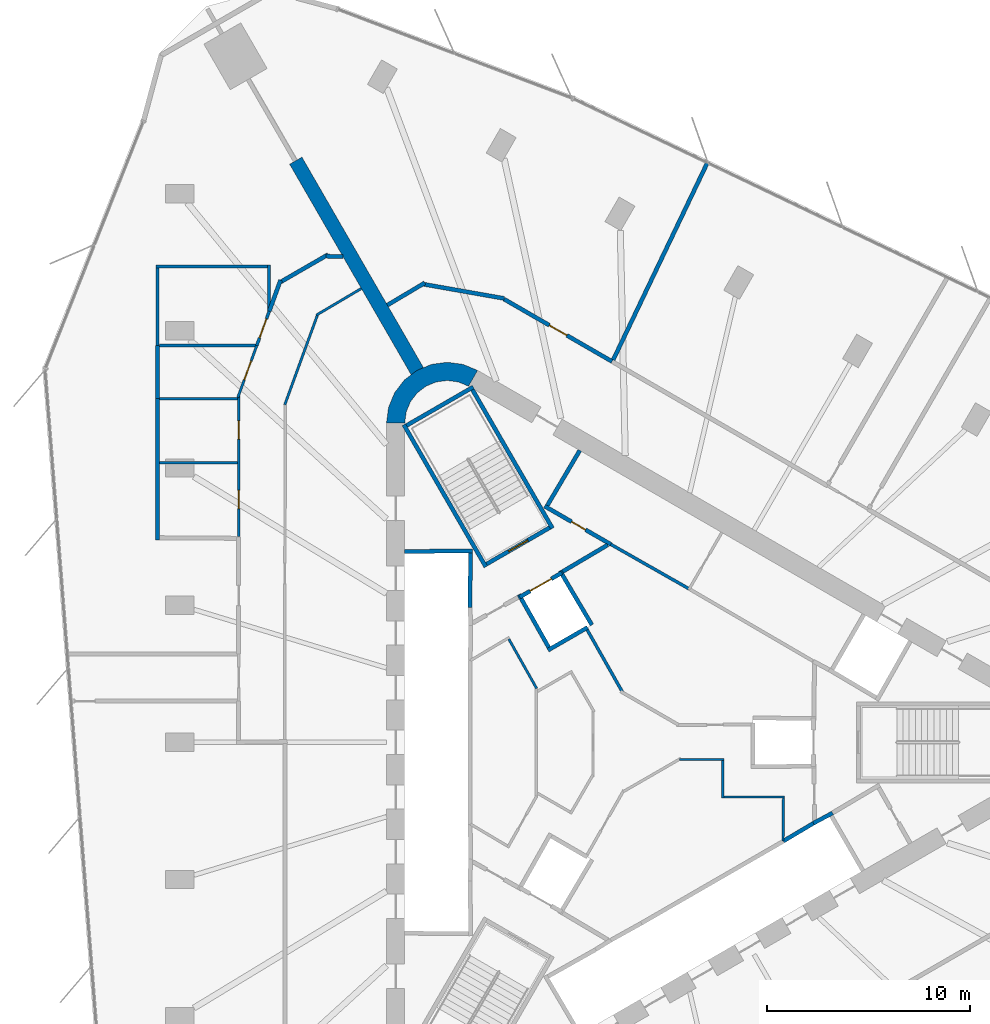
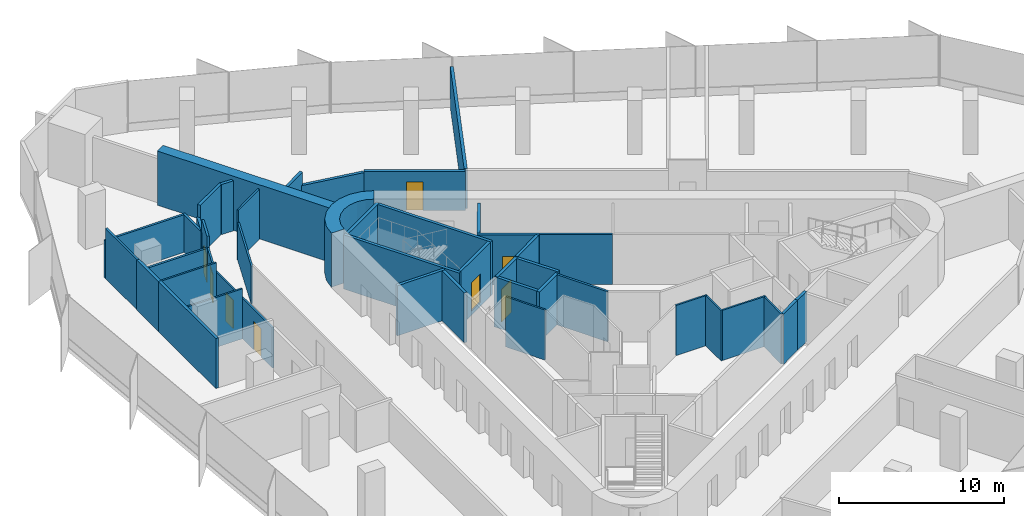
# One storey, part 10 of 13: 44 walls, 8 doors, 8 openings.
"""IFC4 building model written with IfcOpenShell, lengths in metres."""

import ifcopenshell
import ifcopenshell.guid

model = None  # the IFC model being written
_history = None  # IfcOwnerHistory: only IFC2X3 demands one
_inside = {}  # id of a spatial element -> (the spatial element, [elements in it])
_under = {}  # id of a project, library or spatial element -> (it, [spatial elements below it])
_declared = {}  # id of a project -> (the project, [libraries it declares])
_typed = {}  # id of a type object -> (the type object, [elements of that type])
_made_of = {}  # id of a material, layer set ... -> (it, [elements and type objects made of it])


def new_model(schema):
    """Start an empty IFC model of exactly this schema.

    Asked for "IFC4X3", IfcOpenShell would pick the latest addendum, in which some entities
    have other attributes; the version numbers below select the first issue.
    IFC2X3 requires an IfcOwnerHistory on every rooted entity: one is made here for all.
    """
    global model, _history
    if schema == "IFC4X3":
        model = ifcopenshell.file(schema_version=(4, 3, 0, 0))
    else:
        model = ifcopenshell.file(schema=schema)
    _inside.clear()
    _under.clear()
    _declared.clear()
    _typed.clear()
    _made_of.clear()
    _history = None
    if model.schema == "IFC2X3":
        org = make("IfcOrganization", Name="unknown")
        user = make(
            "IfcPersonAndOrganization",
            ThePerson=make("IfcPerson", FamilyName="unknown"),
            TheOrganization=org,
        )
        app = make(
            "IfcApplication",
            ApplicationDeveloper=org,
            Version="unknown",
            ApplicationFullName="unknown",
            ApplicationIdentifier="unknown",
        )
        _history = make(
            "IfcOwnerHistory",
            OwningUser=user,
            OwningApplication=app,
            ChangeAction="ADDED",
            CreationDate=0,
        )
    return model


def make(cls, **values):
    """One entity of the class cls with the attributes given. An attribute that is None is left unset."""
    return model.create_entity(
        cls, **{name: value for name, value in values.items() if value is not None}
    )


def rooted(cls, **values):
    """An entity with a GlobalId (a new one), such as an element, a storey or a relation."""
    return make(cls, GlobalId=ifcopenshell.guid.new(), OwnerHistory=_history, **values)


def si_unit(unit_type, name, prefix=None):
    """IfcSIUnit, for example si_unit("LENGTHUNIT", "METRE", prefix="MILLI")."""
    return make("IfcSIUnit", UnitType=unit_type, Prefix=prefix, Name=name)


def assignment(units):
    """IfcUnitAssignment: the units of a project."""
    return None if units is None else make("IfcUnitAssignment", Units=units)


def point(xyz):
    """IfcCartesianPoint."""
    return None if xyz is None else make("IfcCartesianPoint", Coordinates=xyz)


def direction(xyz):
    """IfcDirection."""
    return None if xyz is None else make("IfcDirection", DirectionRatios=xyz)


def frame(location, z_axis=None, x_axis=None):
    """IfcAxis2Placement3D, a coordinate frame: its origin and axes. An axis left out is left unset."""
    return make(
        "IfcAxis2Placement3D",
        Location=point(location),
        Axis=direction(z_axis),
        RefDirection=direction(x_axis),
    )


def frame_2d(location, x_axis=None):
    """IfcAxis2Placement2D, a coordinate frame in the plane: its origin and x axis."""
    return make(
        "IfcAxis2Placement2D", Location=point(location), RefDirection=direction(x_axis)
    )


def origin():
    """The frame at (0, 0, 0) with its axes left unset."""
    return frame((0.0, 0.0, 0.0))


def place(relative_to, where):
    """IfcLocalPlacement: puts the frame where relative to a parent placement (None: the world)."""
    return make(
        "IfcLocalPlacement", PlacementRelTo=relative_to, RelativePlacement=where
    )


def context(
    kind, dimensions, precision=None, world=None, true_north=None, identifier=None
):
    """IfcGeometricRepresentationContext, for example the 3D "Model" context."""
    return make(
        "IfcGeometricRepresentationContext",
        ContextIdentifier=identifier,
        ContextType=kind,
        CoordinateSpaceDimension=dimensions,
        Precision=precision,
        WorldCoordinateSystem=world,
        TrueNorth=true_north,
    )


def subcontext(parent, identifier, kind, view, scale=None):
    """IfcGeometricRepresentationSubContext, for example "Body" below "Model"."""
    return make(
        "IfcGeometricRepresentationSubContext",
        ContextIdentifier=identifier,
        ContextType=kind,
        ParentContext=parent,
        TargetScale=scale,
        TargetView=view,
    )


def project(units=None, contexts=None):
    """IfcProject with its units and contexts."""
    return rooted(
        "IfcProject",
        Name="project",
        RepresentationContexts=contexts,
        UnitsInContext=assignment(units),
    )


def spatial(cls, under=None, at=None, **own):
    """A site, building, storey or space (cls), placed at a placement, below another one or the project."""
    s = rooted(cls, ObjectPlacement=at, **own)
    if under is not None:
        _under.setdefault(under.id(), (under, []))[1].append(s)
    return s


def polyline(points):
    """IfcPolyline through the points."""
    return make("IfcPolyline", Points=[point(p) for p in points])


def profile(cls, at=None, kind="AREA", **sizes):
    """A parametric profile (cls). Its sizes go by their IFC names, for example OverallWidth=200.0."""
    return make(cls, ProfileType=kind, Position=at, **sizes)


def rectangle(**sizes):
    """IfcRectangleProfileDef."""
    return profile("IfcRectangleProfileDef", **sizes)


def outline(outer, holes=None, kind="AREA"):
    """IfcArbitraryClosedProfileDef: a profile drawn as a closed curve; with holes, ...WithVoids."""
    if holes is None:
        return make("IfcArbitraryClosedProfileDef", ProfileType=kind, OuterCurve=outer)
    return make(
        "IfcArbitraryProfileDefWithVoids",
        ProfileType=kind,
        OuterCurve=outer,
        InnerCurves=holes,
    )


def extrude(swept, where, along, depth):
    """IfcExtrudedAreaSolid: the profile swept, set in the frame where, extruded along a direction by depth."""
    return make(
        "IfcExtrudedAreaSolid",
        SweptArea=swept,
        Position=where,
        ExtrudedDirection=direction(along),
        Depth=depth,
    )


def shape(context_of_items, identifier, shape_type, items):
    """IfcShapeRepresentation: the items that make up one representation, for example the "Body"."""
    return make(
        "IfcShapeRepresentation",
        ContextOfItems=context_of_items,
        RepresentationIdentifier=identifier,
        RepresentationType=shape_type,
        Items=items,
    )


def material(Name=None, Category=None):
    """IfcMaterial."""
    return make("IfcMaterial", Name=Name, Category=Category)


def layer(
    of_material, thickness, ventilated=None, Name=None, Category=None, Priority=None
):
    """IfcMaterialLayer: one layer of a wall or slab, of a material (None: an air gap)."""
    return make(
        "IfcMaterialLayer",
        Material=of_material,
        LayerThickness=thickness,
        IsVentilated=ventilated,
        Name=Name,
        Category=Category,
        Priority=Priority,
    )


def layer_set(layers, Name=None):
    """IfcMaterialLayerSet."""
    return make("IfcMaterialLayerSet", MaterialLayers=layers, LayerSetName=Name)


def made_of(thing, what):
    """Note that an element or type object is made of a material, layer set ...; save() writes the relation."""
    if what is not None:
        _made_of.setdefault(what.id(), (what, []))[1].append(thing)
    return thing


def type_object(cls, material=None, **own):
    """A type object (cls), such as IfcWallType, which elements share."""
    return made_of(rooted(cls, **own), material)


def element(
    cls,
    number,
    at=None,
    inside=None,
    cuts=None,
    type_object=None,
    material=None,
    context=None,
    identifier="Body",
    shape_type=None,
    held_by="IfcProductDefinitionShape",
    body=None,
    shapes=None,
    **own,
):
    """One element of the class cls, such as IfcWall. Its Tag is "e" and its number.

    at: its placement. inside: the storey or other place that contains it. cuts: it is an
    opening in that element (IfcRelVoidsElement). A single representation is given by context,
    identifier, shape_type and body (its items); several are given by shapes. held_by: the class
    of the entity that holds the representations. save() writes the other relations.
    """
    e = rooted(cls, Tag="e%d" % number, ObjectPlacement=at, **own)
    if body is not None:
        shapes = [shape(context, identifier, shape_type, body)]
    if shapes is not None:
        e.Representation = make(held_by, Representations=shapes)
    if inside is not None:
        _inside.setdefault(inside.id(), (inside, []))[1].append(e)
    if cuts is not None:
        rooted(
            "IfcRelVoidsElement", RelatingBuildingElement=cuts, RelatedOpeningElement=e
        )
    if type_object is not None:
        _typed.setdefault(type_object.id(), (type_object, []))[1].append(e)
    return made_of(e, material)


def fill(opening, filler):
    """IfcRelFillsElement: the door or window that sits in an opening."""
    return rooted(
        "IfcRelFillsElement",
        RelatingOpeningElement=opening,
        RelatedBuildingElement=filler,
    )


def aggregate(whole, parts):
    """IfcRelAggregates: a whole, such as a stair, and the parts it consists of."""
    return rooted("IfcRelAggregates", RelatingObject=whole, RelatedObjects=parts)


def save(model, path):
    """Write the relations noted so far, then the file.

    IfcRelAggregates (storeys below a building ...), IfcRelContainedInSpatialStructure (elements
    in a storey), IfcRelDefinesByType, IfcRelAssociatesMaterial and IfcRelDeclares: one each for
    every whole, place, type object, material and project.
    """
    for whole, parts in _under.values():
        aggregate(whole, parts)
    for where, things in _inside.values():
        rooted(
            "IfcRelContainedInSpatialStructure",
            RelatedElements=things,
            RelatingStructure=where,
        )
    for kind, things in _typed.values():
        rooted("IfcRelDefinesByType", RelatedObjects=things, RelatingType=kind)
    for what, things in _made_of.values():
        rooted("IfcRelAssociatesMaterial", RelatedObjects=things, RelatingMaterial=what)
    for by, libraries in _declared.values():
        rooted("IfcRelDeclares", RelatingContext=by, RelatedDefinitions=libraries)
    model.write(path)


model = new_model("IFC4")

# Units and contexts
model_context = context("Model", 3, precision=1e-05, world=origin(), true_north=direction((0.0, 1.0)))
body_context = subcontext(model_context, "Body", "Model", "MODEL_VIEW")
ifc_project = project(units=[si_unit("LENGTHUNIT", "METRE"), si_unit("AREAUNIT", "SQUARE_METRE"), si_unit("VOLUMEUNIT", "CUBIC_METRE"), si_unit("PLANEANGLEUNIT", "RADIAN"), si_unit("MASSUNIT", "GRAM", prefix="KILO")], contexts=[model_context])

# Site, building, storey
site_placement = place(None, origin())
site = spatial("IfcSite", under=ifc_project, at=site_placement, CompositionType="ELEMENT")
building_placement = place(site_placement, origin())
building = spatial("IfcBuilding", under=site, at=building_placement, Name="Tanit Gate Tower", CompositionType="ELEMENT")
storey_placement = place(building_placement, frame((0.0, 0.0, 197.199951171875)))
storey = spatial("IfcBuildingStorey", under=building, at=storey_placement, Name="L43", CompositionType="ELEMENT", Elevation=197.199951171875)

# Walls
ifc_material_1 = material(Name="Concrete C50/60", Category="concrete")
ifc_layer_1 = layer(ifc_material_1, 0.699951171875)
ifc_layer_set_1 = layer_set([ifc_layer_1], Name="BUTTRESS FIN 700 C50/60")
wall_type_1 = type_object("IfcWallType", Name="BUTTRESS FIN 700 C50/60", PredefinedType="SHEAR", material=ifc_layer_set_1)
wall_1_placement = place(storey_placement, frame((-10.574951171875, 18.31640625, 0.0), z_axis=(0.0, 0.0, 1.0), x_axis=(-0.500001138955, 0.866024746207, 0.0)))
element("IfcWall", 1, at=wall_1_placement, inside=storey, type_object=wall_type_1, Name="BUTTRESS FIN", PredefinedType="SHEAR", context=body_context, shape_type="SweptSolid", body=[
    extrude(rectangle(XDim=12.0068359375, YDim=0.699951171875, at=frame_2d((6.00341796875, 0.0))), origin(), (0.0, 0.0, 1.0), 4.0),
])
ifc_material_2 = material(Name="Concrete C50/60", Category="concrete")
ifc_layer_2 = layer(ifc_material_2, 0.89990234375)
ifc_layer_set_2 = layer_set([ifc_layer_2], Name="CORE WALL 900 C50/60")
wall_type_2 = type_object("IfcWallType", Name="CORE WALL 900 C50/60", PredefinedType="SHEAR", material=ifc_layer_set_2)
wall_2_placement = place(storey_placement, origin())
element("IfcWall", 2, at=wall_2_placement, inside=storey, type_object=wall_type_2, Name="CORE WALL CORNER", PredefinedType="SHEAR", context=body_context, shape_type="SweptSolid", body=[
    extrude(outline(polyline([(-7.60009765625, 18.359619140625), (-8.323486328125, 18.659423828125), (-9.10009765625, 18.76171875), (-9.87646484375, 18.659423828125), (-10.60009765625, 18.359619140625), (-11.22119140625, 17.883056640625), (-11.697998046875, 17.26171875), (-11.997802734375, 16.5380859375), (-12.10009765625, 15.76171875), (-11.199951171875, 15.76171875), (-11.12841796875, 16.30517578125), (-10.918701171875, 16.811767578125), (-10.5849609375, 17.24658203125), (-10.14990234375, 17.580322265625), (-9.6435546875, 17.7900390625), (-9.10009765625, 17.86181640625), (-8.556396484375, 17.7900390625), (-8.050048828125, 17.580322265625), (-7.60009765625, 18.359619140625)])), origin(), (0.0, 0.0, 1.0), 4.0),
])

# Wall, opening, door
ifc_material_3 = material(Name="Fire-rated gypsum board partition")
ifc_layer_3 = layer(ifc_material_3, 0.199951171875)
ifc_layer_set_3 = layer_set([ifc_layer_3], Name="INT-WALL-COMPARTMENT")
wall_type_3 = type_object("IfcWallType", Name="INT-WALL-COMPARTMENT", PredefinedType="PARTITIONING", material=ifc_layer_set_3)
wall_3_placement = place(storey_placement, frame((-4.295654296875, 11.659912109375, 0.0), z_axis=(0.0, 0.0, 1.0), x_axis=(0.866027389382, -0.499996560828, 0.0)))
wall_3 = element("IfcWall", 3, at=wall_3_placement, inside=storey, type_object=wall_type_3, Name="Wall Compartment W052", PredefinedType="PARTITIONING", context=body_context, shape_type="SweptSolid", body=[
    extrude(rectangle(XDim=3.77783203125, YDim=0.199951171875, at=frame_2d((1.888916015625, 0.0))), origin(), (0.0, 0.0, 1.0), 3.699951171875),
])
opening_1_placement = place(wall_3_placement, frame((1.538818359375, 0.0, 0.0)))
opening_1 = element("IfcOpeningElement", 4, at=opening_1_placement, cuts=wall_3, Name="Opening R08-S11-15", PredefinedType="OPENING", context=body_context, shape_type="SweptSolid", body=[
    extrude(rectangle(XDim=0.800048828125, YDim=2.10009765625, at=frame_2d((0.39990234375, 1.050048828125))), frame((0.0, 0.10986328125, 0.0), z_axis=(0.0, -1.0, 0.0), x_axis=(1.0, 0.0, 0.0)), (0.0, 0.0, 1.0), 0.219970703125),
])
ifc_material_4 = material(Name="Timber door leaf", Category="wood")
door_type_1 = type_object("IfcDoorType", Name="INT-DOOR-RISER-800", OperationType="NOTDEFINED", PredefinedType="USERDEFINED", material=ifc_material_4)
door_1_placement = place(opening_1_placement, origin())
door_1 = element("IfcDoor", 5, at=door_1_placement, inside=storey, type_object=door_type_1, Name="Door R08-S11-15", ObjectType="FIRE DOOR", OperationType="SINGLE_SWING_RIGHT", OverallHeight=2.10009765625, OverallWidth=0.800048828125, PredefinedType="USERDEFINED", context=body_context, shape_type="SweptSolid", body=[
    extrude(rectangle(XDim=0.800048828125, YDim=2.10009765625, at=frame_2d((0.39990234375, 1.050048828125))), frame((0.0, 0.02490234375, 0.0), z_axis=(0.0, -1.0, 0.0), x_axis=(1.0, 0.0, 0.0)), (0.0, 0.0, 1.0), 0.050048828125),
])
fill(opening_1, door_1)

# Walls
wall_4_placement = place(storey_placement, frame((-2.557861328125, 14.409423828125, 0.0), z_axis=(0.0, 0.0, 1.0), x_axis=(-0.508018930956, -0.861345903683, 0.0)))
element("IfcWall", 6, at=wall_4_placement, inside=storey, type_object=wall_type_3, Name="Wall Compartment W053", PredefinedType="PARTITIONING", context=body_context, shape_type="SweptSolid", body=[
    extrude(rectangle(XDim=3.150146484375, YDim=0.199951171875, at=frame_2d((1.5751953125, 0.0))), origin(), (0.0, 0.0, 1.0), 3.699951171875),
])
wall_5_placement = place(storey_placement, frame((-1.1787109375, 9.744873046875, 0.0), z_axis=(0.0, 0.0, 1.0), x_axis=(-0.860630814782, -0.509229418482, 0.0)))
element("IfcWall", 7, at=wall_5_placement, inside=storey, type_object=wall_type_3, Name="Wall Compartment W059", PredefinedType="PARTITIONING", context=body_context, shape_type="SweptSolid", body=[
    extrude(rectangle(XDim=2.581787109375, YDim=0.199951171875, at=frame_2d((1.291015625, 0.0))), origin(), (0.0, 0.0, 1.0), 3.699951171875),
])
wall_6_placement = place(storey_placement, frame((-17.33056640625, 22.81396484375, 0.0), z_axis=(0.0, 0.0, 1.0), x_axis=(-0.342055959579, -0.939679583963, 0.0)))
element("IfcWall", 8, at=wall_6_placement, inside=storey, type_object=wall_type_3, Name="Wall Compartment W089", PredefinedType="PARTITIONING", context=body_context, shape_type="SweptSolid", body=[
    extrude(rectangle(XDim=1.628662109375, YDim=0.199951171875, at=frame_2d((0.814453125, 0.0))), origin(), (0.0, 0.0, 1.0), 2.780029296875),
])
wall_7_placement = place(storey_placement, frame((-14.97998046875, 24.082763671875, 0.0), z_axis=(0.0, 0.0, 1.0), x_axis=(-0.866008795918, -0.500028764566, 0.0)))
element("IfcWall", 9, at=wall_7_placement, inside=storey, type_object=wall_type_3, Name="Wall Compartment W090", PredefinedType="PARTITIONING", context=body_context, shape_type="SweptSolid", body=[
    extrude(rectangle(XDim=2.713623046875, YDim=0.199951171875, at=frame_2d((1.35693359375, 0.0))), origin(), (0.0, 0.0, 1.0), 3.699951171875),
])
wall_8_placement = place(storey_placement, frame((-14.250244140625, 23.982421875, 0.0), z_axis=(0.0, 0.0, 1.0), x_axis=(-0.999799129767, 0.02004245786, 0.0)))
element("IfcWall", 10, at=wall_8_placement, inside=storey, type_object=wall_type_3, Name="Wall Compartment W091", PredefinedType="PARTITIONING", context=body_context, shape_type="SweptSolid", body=[
    extrude(rectangle(XDim=0.840576171875, YDim=0.199951171875, at=frame_2d((0.42041015625, 0.0))), origin(), (0.0, 0.0, 1.0), 3.699951171875),
])
wall_9_placement = place(storey_placement, frame((-10.209716796875, 22.681396484375, 0.0), z_axis=(0.0, 0.0, 1.0), x_axis=(-0.859700405816, -0.510798602425, 0.0)))
element("IfcWall", 11, at=wall_9_placement, inside=storey, type_object=wall_type_3, Name="Wall Compartment W100", PredefinedType="PARTITIONING", context=body_context, shape_type="SweptSolid", body=[
    extrude(rectangle(XDim=2.14892578125, YDim=0.199951171875, at=frame_2d((1.074462890625, 0.0))), origin(), (0.0, 0.0, 1.0), 3.699951171875),
])
wall_10_placement = place(storey_placement, frame((-6.28515625, 21.91259765625, 0.0), z_axis=(0.0, 0.0, 1.0), x_axis=(-0.984806073034, 0.173657705026, 0.0)))
element("IfcWall", 12, at=wall_10_placement, inside=storey, type_object=wall_type_3, Name="Wall Compartment W101", PredefinedType="PARTITIONING", context=body_context, shape_type="SweptSolid", body=[
    extrude(rectangle(XDim=4.03759765625, YDim=0.199951171875, at=frame_2d((2.018798828125, 0.0))), origin(), (0.0, 0.0, 1.0), 2.780029296875),
])

# Wall, opening, door
wall_11_placement = place(storey_placement, frame((-0.963623046875, 18.80078125, 0.0), z_axis=(0.0, 0.0, 1.0), x_axis=(-0.866039032844, 0.499976393034, 0.0)))
wall_11 = element("IfcWall", 13, at=wall_11_placement, inside=storey, type_object=wall_type_3, Name="Wall Compartment W102", PredefinedType="PARTITIONING", context=body_context, shape_type="SweptSolid", body=[
    extrude(rectangle(XDim=6.158447265625, YDim=0.199951171875, at=frame_2d((3.0791015625, 0.0))), origin(), (0.0, 0.0, 1.0), 2.880126953125),
])
opening_2_placement = place(wall_11_placement, frame((2.5791015625, 0.0, 0.0)))
opening_2 = element("IfcOpeningElement", 14, at=opening_2_placement, cuts=wall_11, Name="Opening F10-S11-27", PredefinedType="OPENING", context=body_context, shape_type="SweptSolid", body=[
    extrude(rectangle(XDim=1.0, YDim=2.10009765625, at=frame_2d((0.5, 1.050048828125))), frame((0.0, 0.10986328125, 0.0), z_axis=(0.0, -1.0, 0.0), x_axis=(1.0, 0.0, 0.0)), (0.0, 0.0, 1.0), 0.219970703125),
])
ifc_material_5 = material(Name="Fire-rated steel door leaf", Category="steel")
door_type_2 = type_object("IfcDoorType", Name="INT-DOOR-FIRE-1000", OperationType="NOTDEFINED", PredefinedType="USERDEFINED", material=ifc_material_5)
door_2_placement = place(opening_2_placement, origin())
door_2 = element("IfcDoor", 15, at=door_2_placement, inside=storey, type_object=door_type_2, Name="Door F10-S11-27", ObjectType="FIRE DOOR", OperationType="SINGLE_SWING_LEFT", OverallHeight=2.10009765625, OverallWidth=1.0, PredefinedType="USERDEFINED", context=body_context, shape_type="SweptSolid", body=[
    extrude(rectangle(XDim=1.0, YDim=2.10009765625, at=frame_2d((0.5, 1.050048828125))), frame((0.0, 0.02490234375, 0.0), z_axis=(0.0, -1.0, 0.0), x_axis=(1.0, 0.0, 0.0)), (0.0, 0.0, 1.0), 0.050048828125),
])
fill(opening_2, door_2)

# Walls
wall_12_placement = place(storey_placement, frame((-23.39990234375, 10.0, 0.0), z_axis=(0.0, 0.0, 1.0), x_axis=(0.0, 1.0, 0.0)))
element("IfcWall", 16, at=wall_12_placement, inside=storey, type_object=wall_type_3, Name="Wall Compartment W121", PredefinedType="PARTITIONING", context=body_context, shape_type="SweptSolid", body=[
    extrude(rectangle(XDim=6.96337890625, YDim=0.199951171875, at=frame_2d((3.481689453125, 0.0))), origin(), (0.0, 0.0, 1.0), 3.699951171875),
])
wall_13_placement = place(storey_placement, frame((-23.39990234375, 16.96337890625, 0.0), z_axis=(0.0, 0.0, 1.0), x_axis=(0.0, 1.0, 0.0)))
element("IfcWall", 17, at=wall_13_placement, inside=storey, type_object=wall_type_3, Name="Wall Compartment W124", PredefinedType="PARTITIONING", context=body_context, shape_type="SweptSolid", body=[
    extrude(rectangle(XDim=2.615966796875, YDim=0.199951171875, at=frame_2d((1.30810546875, 0.0))), origin(), (0.0, 0.0, 1.0), 3.699951171875),
])
wall_14_placement = place(storey_placement, frame((-0.906494140625, 18.883056640625, 0.0), z_axis=(0.0, 0.0, 1.0), x_axis=(0.431079223671, 0.90231408219, 0.0)))
element("IfcWall", 18, at=wall_14_placement, inside=storey, type_object=wall_type_3, Name="Wall Compartment W130", PredefinedType="PARTITIONING", context=body_context, shape_type="SweptSolid", body=[
    extrude(rectangle(XDim=10.791748046875, YDim=0.199951171875, at=frame_2d((5.39599609375, 0.0))), origin(), (0.0, 0.0, 1.0), 2.97998046875),
])
ifc_material_6 = material(Name="Gypsum board partition")
ifc_layer_4 = layer(ifc_material_6, 0.1201171875)
ifc_layer_set_4 = layer_set([ifc_layer_4], Name="INT-WALL-PARTITION")
wall_type_4 = type_object("IfcWallType", Name="INT-WALL-PARTITION", PredefinedType="PARTITIONING", material=ifc_layer_set_4)
wall_15_placement = place(storey_placement, frame((4.56005859375, -0.85009765625, 0.0), z_axis=(0.0, 0.0, 1.0), x_axis=(-1.0, 0.0, 0.0)))
element("IfcWall", 19, at=wall_15_placement, inside=storey, type_object=wall_type_4, Name="Wall Partition W068", PredefinedType="PARTITIONING", context=body_context, shape_type="SweptSolid", body=[
    extrude(rectangle(XDim=2.203125, YDim=0.1201171875, at=frame_2d((1.1015625, 0.0))), origin(), (0.0, 0.0, 1.0), 3.699951171875),
])
wall_16_placement = place(storey_placement, frame((4.5, -2.760009765625, 0.0), z_axis=(0.0, 0.0, 1.0), x_axis=(0.0, 1.0, 0.0)))
element("IfcWall", 20, at=wall_16_placement, inside=storey, type_object=wall_type_4, Name="Wall Partition W069", PredefinedType="PARTITIONING", context=body_context, shape_type="SweptSolid", body=[
    extrude(rectangle(XDim=1.85009765625, YDim=0.1201171875, at=frame_2d((0.925048828125, 0.0))), origin(), (0.0, 0.0, 1.0), 3.699951171875),
])
wall_17_placement = place(storey_placement, frame((7.56005859375, -2.699951171875, 0.0), z_axis=(0.0, 0.0, 1.0), x_axis=(-1.0, 0.0, 0.0)))
element("IfcWall", 21, at=wall_17_placement, inside=storey, type_object=wall_type_4, Name="Wall Partition W070", PredefinedType="PARTITIONING", context=body_context, shape_type="SweptSolid", body=[
    extrude(rectangle(XDim=3.0, YDim=0.1201171875, at=frame_2d((1.5, 0.0))), origin(), (0.0, 0.0, 1.0), 3.699951171875),
])
wall_18_placement = place(storey_placement, frame((7.474609375, -4.864501953125, 0.0), z_axis=(0.0, 0.0, 1.0), x_axis=(0.011716133148, 0.999931363757, 0.0)))
element("IfcWall", 22, at=wall_18_placement, inside=storey, type_object=wall_type_4, Name="Wall Partition W071", PredefinedType="PARTITIONING", context=body_context, shape_type="SweptSolid", body=[
    extrude(rectangle(XDim=2.104736328125, YDim=0.1201171875, at=frame_2d((1.05224609375, 0.0))), origin(), (0.0, 0.0, 1.0), 3.699951171875),
])
wall_19_placement = place(storey_placement, frame((-4.685791015625, 2.6572265625, 0.0), z_axis=(0.0, 0.0, 1.0), x_axis=(-0.491052820648, 0.87112979936, 0.0)))
element("IfcWall", 23, at=wall_19_placement, inside=storey, type_object=wall_type_4, Name="Wall Partition W076", PredefinedType="PARTITIONING", context=body_context, shape_type="SweptSolid", body=[
    extrude(rectangle(XDim=2.796142578125, YDim=0.1201171875, at=frame_2d((1.39794921875, 0.0))), origin(), (0.0, 0.0, 1.0), 3.699951171875),
])
wall_20_placement = place(storey_placement, frame((-13.33935546875, 22.404541015625, 0.0), z_axis=(0.0, 0.0, 1.0), x_axis=(-0.86070028932, -0.509111983718, 0.0)))
element("IfcWall", 24, at=wall_20_placement, inside=storey, type_object=wall_type_4, Name="Wall Partition W082", PredefinedType="PARTITIONING", context=body_context, shape_type="SweptSolid", body=[
    extrude(rectangle(XDim=2.578857421875, YDim=0.1201171875, at=frame_2d((1.28955078125, 0.0))), origin(), (0.0, 0.0, 1.0), 3.699951171875),
])
wall_21_placement = place(storey_placement, frame((-15.505859375, 21.102783203125, 0.0), z_axis=(0.0, 0.0, 1.0), x_axis=(-0.342017079535, -0.939693735909, 0.0)))
element("IfcWall", 25, at=wall_21_placement, inside=storey, type_object=wall_type_4, Name="Wall Partition W083", PredefinedType="PARTITIONING", context=body_context, shape_type="SweptSolid", body=[
    extrude(rectangle(XDim=4.72119140625, YDim=0.1201171875, at=frame_2d((2.360595703125, 0.0))), origin(), (0.0, 0.0, 1.0), 2.780029296875),
])

# Wall, openings, doors
wall_22_placement = place(storey_placement, frame((-19.39990234375, 17.128173828125, 0.0), z_axis=(0.0, 0.0, 1.0), x_axis=(0.0, -1.0, 0.0)))
wall_22 = element("IfcWall", 26, at=wall_22_placement, inside=storey, type_object=wall_type_4, Name="Wall Partition W093", PredefinedType="PARTITIONING", context=body_context, shape_type="SweptSolid", body=[
    extrude(rectangle(XDim=6.958251953125, YDim=0.1201171875, at=frame_2d((3.47900390625, 0.0))), origin(), (0.0, 0.0, 1.0), 2.97998046875),
])
opening_3_placement = place(wall_22_placement, frame((4.690185546875, 0.0, 0.0)))
opening_3 = element("IfcOpeningElement", 27, at=opening_3_placement, cuts=wall_22, Name="Opening D09-S11-21", PredefinedType="OPENING", context=body_context, shape_type="SweptSolid", body=[
    extrude(rectangle(XDim=0.89990234375, YDim=2.10009765625, at=frame_2d((0.449951171875, 1.050048828125))), frame((0.0, 0.070068359375, 0.0), z_axis=(0.0, -1.0, 0.0), x_axis=(1.0, 0.0, 0.0)), (0.0, 0.0, 1.0), 0.14013671875),
])
opening_4_placement = place(wall_22_placement, frame((1.263671875, 0.0, 0.0)))
opening_4 = element("IfcOpeningElement", 28, at=opening_4_placement, cuts=wall_22, Name="Opening D09-S11-22", PredefinedType="OPENING", context=body_context, shape_type="SweptSolid", body=[
    extrude(rectangle(XDim=0.89990234375, YDim=2.10009765625, at=frame_2d((0.449951171875, 1.050048828125))), frame((0.0, 0.070068359375, 0.0), z_axis=(0.0, -1.0, 0.0), x_axis=(1.0, 0.0, 0.0)), (0.0, 0.0, 1.0), 0.14013671875),
])
ifc_material_7 = material(Name="Timber door leaf", Category="wood")
door_type_3 = type_object("IfcDoorType", Name="INT-DOOR-SINGLE-900", OperationType="NOTDEFINED", PredefinedType="NOTDEFINED", material=ifc_material_7)
door_3_placement = place(opening_3_placement, origin())
door_3 = element("IfcDoor", 29, at=door_3_placement, inside=storey, type_object=door_type_3, Name="Door D09-S11-21", OperationType="SINGLE_SWING_LEFT", OverallHeight=2.10009765625, OverallWidth=0.89990234375, PredefinedType="NOTDEFINED", context=body_context, shape_type="SweptSolid", body=[
    extrude(rectangle(XDim=0.89990234375, YDim=2.10009765625, at=frame_2d((0.449951171875, 1.050048828125))), frame((0.0, 0.02490234375, 0.0), z_axis=(0.0, -1.0, 0.0), x_axis=(1.0, 0.0, 0.0)), (0.0, 0.0, 1.0), 0.050048828125),
])
fill(opening_3, door_3)
door_4_placement = place(opening_4_placement, origin())
door_4 = element("IfcDoor", 30, at=door_4_placement, inside=storey, type_object=door_type_3, Name="Door D09-S11-22", OperationType="SINGLE_SWING_RIGHT", OverallHeight=2.10009765625, OverallWidth=0.89990234375, PredefinedType="NOTDEFINED", context=body_context, shape_type="SweptSolid", body=[
    extrude(rectangle(XDim=0.89990234375, YDim=2.10009765625, at=frame_2d((0.449951171875, 1.050048828125))), frame((0.0, 0.02490234375, 0.0), z_axis=(0.0, -1.0, 0.0), x_axis=(1.0, 0.0, 0.0)), (0.0, 0.0, 1.0), 0.050048828125),
])
fill(opening_4, door_4)

# Wall, opening, door
wall_23_placement = place(storey_placement, frame((-18.50341796875, 19.59130859375, 0.0), z_axis=(0.0, 0.0, 1.0), x_axis=(-0.342051467618, -0.939681219085, 0.0)))
wall_23 = element("IfcWall", 31, at=wall_23_placement, inside=storey, type_object=wall_type_4, Name="Wall Partition W094", PredefinedType="PARTITIONING", context=body_context, shape_type="SweptSolid", body=[
    extrude(rectangle(XDim=2.73291015625, YDim=0.1201171875, at=frame_2d((1.366455078125, 0.0))), origin(), (0.0, 0.0, 1.0), 2.880126953125),
])
opening_5_placement = place(wall_23_placement, frame((0.810546875, 0.0, 0.0)))
opening_5 = element("IfcOpeningElement", 32, at=opening_5_placement, cuts=wall_23, Name="Opening D10-S11-23", PredefinedType="OPENING", context=body_context, shape_type="SweptSolid", body=[
    extrude(rectangle(XDim=1.0, YDim=2.10009765625, at=frame_2d((0.5, 1.050048828125))), frame((0.0, 0.070068359375, 0.0), z_axis=(0.0, -1.0, 0.0), x_axis=(1.0, 0.0, 0.0)), (0.0, 0.0, 1.0), 0.14013671875),
])
ifc_material_8 = material(Name="Timber door leaf", Category="wood")
door_type_4 = type_object("IfcDoorType", Name="INT-DOOR-SINGLE-1000", OperationType="NOTDEFINED", PredefinedType="NOTDEFINED", material=ifc_material_8)
door_5_placement = place(opening_5_placement, origin())
door_5 = element("IfcDoor", 33, at=door_5_placement, inside=storey, type_object=door_type_4, Name="Door D10-S11-23", OperationType="SINGLE_SWING_RIGHT", OverallHeight=2.10009765625, OverallWidth=1.0, PredefinedType="NOTDEFINED", context=body_context, shape_type="SweptSolid", body=[
    extrude(rectangle(XDim=1.0, YDim=2.10009765625, at=frame_2d((0.5, 1.050048828125))), frame((0.0, 0.02490234375, 0.0), z_axis=(0.0, -1.0, 0.0), x_axis=(1.0, 0.0, 0.0)), (0.0, 0.0, 1.0), 0.050048828125),
])
fill(opening_5, door_5)

# Walls
for number, where, z_axis, x_axis, name in (
    (34, (-19.4599609375, 13.8056640625, 0.0), (0.0, 0.0, 1.0), (-1.0, 0.0, 0.0), "Wall Partition W136"),
    (35, (-19.4599609375, 16.96337890625, 0.0), (0.0, 0.0, 1.0), (-1.0, 0.0, 0.0), "Wall Partition W137"),
):
    element("IfcWall", number, at=place(storey_placement, frame(where, z_axis=z_axis, x_axis=x_axis)), inside=storey, type_object=wall_type_4, Name=name, PredefinedType="PARTITIONING", context=body_context, shape_type="SweptSolid", body=[
        extrude(rectangle(XDim=3.840087890625, YDim=0.1201171875, at=frame_2d((1.919921875, 0.0))), origin(), (0.0, 0.0, 1.0), 3.699951171875),
    ])
ifc_material_9 = material(Name="Fire-rated gypsum board partition")
ifc_layer_5 = layer(ifc_material_9, 0.14990234375)
ifc_layer_set_5 = layer_set([ifc_layer_5], Name="INT-WALL-RISER")
wall_type_5 = type_object("IfcWallType", Name="INT-WALL-RISER", PredefinedType="PLUMBINGWALL", material=ifc_layer_set_5)
wall_24_placement = place(storey_placement, frame((2.82080078125, 7.5859375, 0.0), z_axis=(0.0, 0.0, 1.0), x_axis=(-0.869355227283, 0.494187706035, 0.0)))
element("IfcWall", 36, at=wall_24_placement, inside=storey, type_object=wall_type_5, Name="Wall Riser W054", PredefinedType="PLUMBINGWALL", context=body_context, shape_type="SweptSolid", body=[
    extrude(rectangle(XDim=4.422607421875, YDim=0.14990234375, at=frame_2d((2.21142578125, 0.0))), origin(), (0.0, 0.0, 1.0), 3.699951171875),
])
wall_25_placement = place(storey_placement, frame((-2.18896484375, 5.548828125, 0.0), z_axis=(0.0, 0.0, 1.0), x_axis=(0.49303694679, -0.870008373006, 0.0)))
element("IfcWall", 37, at=wall_25_placement, inside=storey, type_object=wall_type_5, Name="Wall Riser W065", PredefinedType="PLUMBINGWALL", context=body_context, shape_type="SweptSolid", body=[
    extrude(rectangle(XDim=3.5380859375, YDim=0.14990234375, at=frame_2d((1.76904296875, 0.0))), origin(), (0.0, 0.0, 1.0), 3.699951171875),
])

# Wall, opening, door
wall_26_placement = place(storey_placement, frame((-17.8876953125, 21.283447265625, 0.0), z_axis=(0.0, 0.0, 1.0), x_axis=(-0.341939006975, -0.939722148036, 0.0)))
wall_26 = element("IfcWall", 38, at=wall_26_placement, inside=storey, type_object=wall_type_5, Name="Wall Riser W095", PredefinedType="PLUMBINGWALL", context=body_context, shape_type="SweptSolid", body=[
    extrude(rectangle(XDim=1.80078125, YDim=0.14990234375, at=frame_2d((0.900390625, 0.0))), origin(), (0.0, 0.0, 1.0), 3.699951171875),
])
opening_6_placement = place(wall_26_placement, frame((0.400390625, 0.0, 0.0)))
opening_6 = element("IfcOpeningElement", 39, at=opening_6_placement, cuts=wall_26, Name="Opening F10-S11-24", PredefinedType="OPENING", context=body_context, shape_type="SweptSolid", body=[
    extrude(rectangle(XDim=1.0, YDim=2.10009765625, at=frame_2d((0.5, 1.050048828125))), frame((0.0, 0.0849609375, 0.0), z_axis=(0.0, -1.0, 0.0), x_axis=(1.0, 0.0, 0.0)), (0.0, 0.0, 1.0), 0.169921875),
])
door_6_placement = place(opening_6_placement, origin())
door_6 = element("IfcDoor", 40, at=door_6_placement, inside=storey, type_object=door_type_2, Name="Door F10-S11-24", ObjectType="FIRE DOOR", OperationType="SINGLE_SWING_RIGHT", OverallHeight=2.10009765625, OverallWidth=1.0, PredefinedType="USERDEFINED", context=body_context, shape_type="SweptSolid", body=[
    extrude(rectangle(XDim=1.0, YDim=2.10009765625, at=frame_2d((0.5, 1.050048828125))), frame((0.0, 0.02490234375, 0.0), z_axis=(0.0, -1.0, 0.0), x_axis=(1.0, 0.0, 0.0)), (0.0, 0.0, 1.0), 0.050048828125),
])
fill(opening_6, door_6)

# Walls
wall_27_placement = place(storey_placement, frame((-17.89990234375, 21.264892578125, 0.0), z_axis=(0.0, 0.0, 1.0), x_axis=(0.0, 1.0, 0.0)))
element("IfcWall", 41, at=wall_27_placement, inside=storey, type_object=wall_type_5, Name="Wall Riser W125", PredefinedType="PLUMBINGWALL", context=body_context, shape_type="SweptSolid", body=[
    extrude(rectangle(XDim=2.300048828125, YDim=0.14990234375, at=frame_2d((1.14990234375, 0.0))), origin(), (0.0, 0.0, 1.0), 2.780029296875),
])
wall_28_placement = place(storey_placement, frame((-17.97509765625, 23.489990234375, 0.0), z_axis=(0.0, 0.0, 1.0), x_axis=(-1.0, 0.0, 0.0)))
element("IfcWall", 42, at=wall_28_placement, inside=storey, type_object=wall_type_5, Name="Wall Riser W126", PredefinedType="PLUMBINGWALL", context=body_context, shape_type="SweptSolid", body=[
    extrude(rectangle(XDim=5.5, YDim=0.14990234375, at=frame_2d((2.75, 0.0))), origin(), (0.0, 0.0, 1.0), 2.780029296875),
])
wall_29_placement = place(storey_placement, frame((-23.39990234375, 19.579345703125, 0.0), z_axis=(0.0, 0.0, 1.0), x_axis=(0.0, 1.0, 0.0)))
element("IfcWall", 43, at=wall_29_placement, inside=storey, type_object=wall_type_5, Name="Wall Riser W127", PredefinedType="PLUMBINGWALL", context=body_context, shape_type="SweptSolid", body=[
    extrude(rectangle(XDim=3.835693359375, YDim=0.14990234375, at=frame_2d((1.91796875, 0.0))), origin(), (0.0, 0.0, 1.0), 3.699951171875),
])
wall_30_placement = place(storey_placement, frame((-23.300048828125, 19.5869140625, 0.0), z_axis=(0.0, 0.0, 1.0), x_axis=(1.0, 0.0, 0.0)))
element("IfcWall", 44, at=wall_30_placement, inside=storey, type_object=wall_type_5, Name="Wall Riser W138", PredefinedType="PLUMBINGWALL", context=body_context, shape_type="SweptSolid", body=[
    extrude(rectangle(XDim=4.73095703125, YDim=0.14990234375, at=frame_2d((2.365478515625, 0.0))), origin(), (0.0, 0.0, 1.0), 2.880126953125),
])
ifc_material_10 = material(Name="Gypsum shaft wall system")
ifc_layer_6 = layer(ifc_material_10, 0.199951171875)
ifc_layer_set_6 = layer_set([ifc_layer_6], Name="INT-WALL-SHAFT")
wall_type_6 = type_object("IfcWallType", Name="INT-WALL-SHAFT", PredefinedType="PLUMBINGWALL", material=ifc_layer_set_6)
wall_31_placement = place(storey_placement, frame((-11.199951171875, 9.419921875, 0.0), z_axis=(0.0, 0.0, 1.0), x_axis=(0.999957167047, 0.009255488683, 0.0)))
element("IfcWall", 45, at=wall_31_placement, inside=storey, type_object=wall_type_6, Name="Wall Shaft W001", PredefinedType="PLUMBINGWALL", context=body_context, shape_type="SweptSolid", body=[
    extrude(rectangle(XDim=3.35009765625, YDim=0.199951171875, at=frame_2d((1.675048828125, 0.0))), origin(), (0.0, 0.0, 1.0), 3.699951171875),
])
wall_32_placement = place(storey_placement, frame((-7.951171875, 9.35009765625, 0.0), z_axis=(0.0, 0.0, 1.0), x_axis=(-0.011120469654, -0.999938165666, 0.0)))
element("IfcWall", 46, at=wall_32_placement, inside=storey, type_object=wall_type_6, Name="Wall Shaft W002", PredefinedType="PLUMBINGWALL", context=body_context, shape_type="SweptSolid", body=[
    extrude(rectangle(XDim=2.700439453125, YDim=0.199951171875, at=frame_2d((1.35009765625, 0.0))), origin(), (0.0, 0.0, 1.0), 3.699951171875),
])
wall_33_placement = place(storey_placement, frame((8.97412109375, -3.998779296875, 0.0), z_axis=(0.0, 0.0, 1.0), x_axis=(0.880907015104, 0.473289373154, 0.0)))
element("IfcWall", 47, at=wall_33_placement, inside=storey, type_object=wall_type_6, Name="Wall Shaft W017", PredefinedType="PLUMBINGWALL", context=body_context, shape_type="SweptSolid", body=[
    extrude(rectangle(XDim=1.078125, YDim=0.199951171875, at=frame_2d((0.5390625, 0.0))), origin(), (0.0, 0.0, 1.0), 3.699951171875),
])
wall_34_placement = place(storey_placement, frame((7.4931640625, -4.87841796875, 0.0), z_axis=(0.0, 0.0, 1.0), x_axis=(0.859981807212, 0.510324691999, 0.0)))
element("IfcWall", 48, at=wall_34_placement, inside=storey, type_object=wall_type_6, Name="Wall Shaft W018", PredefinedType="PLUMBINGWALL", context=body_context, shape_type="SweptSolid", body=[
    extrude(rectangle(XDim=1.8447265625, YDim=0.199951171875, at=frame_2d((0.92236328125, 0.0))), origin(), (0.0, 0.0, 1.0), 3.699951171875),
])

# Wall, opening, door
wall_35_placement = place(storey_placement, frame((-5.524169921875, 7.168212890625, 0.0), z_axis=(0.0, 0.0, 1.0), x_axis=(0.866024647952, 0.500001309137, 0.0)))
wall_35 = element("IfcWall", 49, at=wall_35_placement, inside=storey, type_object=wall_type_6, Name="Wall Shaft W037", PredefinedType="PLUMBINGWALL", context=body_context, shape_type="SweptSolid", body=[
    extrude(rectangle(XDim=2.39990234375, YDim=0.199951171875, at=frame_2d((1.199951171875, 0.0))), origin(), (0.0, 0.0, 1.0), 3.699951171875),
])
opening_7_placement = place(wall_35_placement, frame((0.60009765625, 0.0, 0.0)))
opening_7 = element("IfcOpeningElement", 50, at=opening_7_placement, cuts=wall_35, Name="Opening LDFL2-L43", PredefinedType="OPENING", context=body_context, shape_type="SweptSolid", body=[
    extrude(rectangle(XDim=1.199951171875, YDim=2.39990234375, at=frame_2d((0.60009765625, 1.199951171875))), frame((0.0, 0.10986328125, 0.0), z_axis=(0.0, -1.0, 0.0), x_axis=(1.0, 0.0, 0.0)), (0.0, 0.0, 1.0), 0.219970703125),
])
ifc_material_11 = material(Name="Stainless steel sliding door leaf", Category="steel")
door_type_5 = type_object("IfcDoorType", Name="INT-DOOR-LANDING-1200", OperationType="NOTDEFINED", PredefinedType="USERDEFINED", material=ifc_material_11)
door_7_placement = place(opening_7_placement, origin())
door_7 = element("IfcDoor", 51, at=door_7_placement, inside=storey, type_object=door_type_5, Name="Door LDFL2-L43", ObjectType="LANDING DOOR", OperationType="SLIDING_TO_LEFT", OverallHeight=2.39990234375, OverallWidth=1.199951171875, PredefinedType="USERDEFINED", context=body_context, shape_type="SweptSolid", body=[
    extrude(rectangle(XDim=1.199951171875, YDim=2.39990234375, at=frame_2d((0.60009765625, 1.199951171875))), frame((0.0, 0.02490234375, 0.0), z_axis=(0.0, -1.0, 0.0), x_axis=(1.0, 0.0, 0.0)), (0.0, 0.0, 1.0), 0.050048828125),
])
fill(opening_7, door_7)

# Walls
wall_36_placement = place(storey_placement, frame((-3.53759765625, 8.46533203125, 0.0), z_axis=(0.0, 0.0, 1.0), x_axis=(0.508647062354, -0.860975125052, 0.0)))
element("IfcWall", 52, at=wall_36_placement, inside=storey, type_object=wall_type_6, Name="Wall Shaft W038", PredefinedType="PLUMBINGWALL", context=body_context, shape_type="SweptSolid", body=[
    extrude(rectangle(XDim=3.10009765625, YDim=0.199951171875, at=frame_2d((1.550048828125, 0.0))), origin(), (0.0, 0.0, 1.0), 3.699951171875),
])
wall_37_placement = place(storey_placement, frame((-2.17333984375, 5.67333984375, 0.0), z_axis=(0.0, 0.0, 1.0), x_axis=(-0.866028691075, -0.499994306202, 0.0)))
element("IfcWall", 53, at=wall_37_placement, inside=storey, type_object=wall_type_6, Name="Wall Shaft W039", PredefinedType="PLUMBINGWALL", context=body_context, shape_type="SweptSolid", body=[
    extrude(rectangle(XDim=2.25439453125, YDim=0.199951171875, at=frame_2d((1.127197265625, 0.0))), origin(), (0.0, 0.0, 1.0), 3.699951171875),
])
wall_38_placement = place(storey_placement, frame((-5.5625, 7.29638671875, 0.0), z_axis=(0.0, 0.0, 1.0), x_axis=(0.49134651263, -0.870964180966, 0.0)))
element("IfcWall", 54, at=wall_38_placement, inside=storey, type_object=wall_type_6, Name="Wall Shaft W040", PredefinedType="PLUMBINGWALL", context=body_context, shape_type="SweptSolid", body=[
    extrude(rectangle(XDim=3.000244140625, YDim=0.199951171875, at=frame_2d((1.5, 0.0))), origin(), (0.0, 0.0, 1.0), 3.699951171875),
])
ifc_material_12 = material(Name="Concrete C40/50", Category="concrete")
ifc_layer_7 = layer(ifc_material_12, 0.199951171875)
ifc_layer_set_7 = layer_set([ifc_layer_7], Name="INT-WALL-STAIR")
wall_type_7 = type_object("IfcWallType", Name="INT-WALL-STAIR", PredefinedType="SHEAR", material=ifc_layer_set_7)
wall_39_placement = place(storey_placement, frame((-11.245361328125, 15.677734375, -0.300048828125), z_axis=(0.0, 0.0, 1.0), x_axis=(0.499977274689, -0.866038523851, 0.0)))
element("IfcWall", 55, at=wall_39_placement, inside=storey, type_object=wall_type_7, Name="Wall Stair W033", PredefinedType="SHEAR", context=body_context, shape_type="SweptSolid", body=[
    extrude(rectangle(XDim=8.10009765625, YDim=0.199951171875, at=frame_2d((4.050048828125, 0.0))), origin(), (0.0, 0.0, 1.0), 4.0),
])
wall_40_placement = place(storey_placement, frame((-7.81787109375, 17.541015625, -0.300048828125), z_axis=(0.0, 0.0, 1.0), x_axis=(-0.866044365799, -0.499967155389, 0.0)))
element("IfcWall", 56, at=wall_40_placement, inside=storey, type_object=wall_type_7, Name="Wall Stair W034", PredefinedType="SHEAR", context=body_context, shape_type="SweptSolid", body=[
    extrude(rectangle(XDim=3.800048828125, YDim=0.199951171875, at=frame_2d((1.89990234375, 0.0))), origin(), (0.0, 0.0, 1.0), 4.0),
])
wall_41_placement = place(storey_placement, frame((-7.8544921875, 17.404541015625, -0.300048828125), z_axis=(0.0, 0.0, 1.0), x_axis=(0.499997992926, -0.866026562566, 0.0)))
element("IfcWall", 57, at=wall_41_placement, inside=storey, type_object=wall_type_7, Name="Wall Stair W035", PredefinedType="SHEAR", context=body_context, shape_type="SweptSolid", body=[
    extrude(rectangle(XDim=7.89990234375, YDim=0.199951171875, at=frame_2d((3.949951171875, 0.0))), origin(), (0.0, 0.0, 1.0), 4.0),
])

# Wall, opening, door
wall_42_placement = place(storey_placement, frame((-7.158935546875, 8.799560546875, -0.300048828125), z_axis=(0.0, 0.0, 1.0), x_axis=(0.866047807691, 0.499961193289, 0.0)))
wall_42 = element("IfcWall", 58, at=wall_42_placement, inside=storey, type_object=wall_type_7, Name="Wall Stair W036", PredefinedType="SHEAR", context=body_context, shape_type="SweptSolid", body=[
    extrude(rectangle(XDim=3.599853515625, YDim=0.199951171875, at=frame_2d((1.7998046875, 0.0))), origin(), (0.0, 0.0, 1.0), 4.0),
])
opening_8_placement = place(wall_42_placement, frame((1.25, 0.0, 0.300048828125)))
opening_8 = element("IfcOpeningElement", 59, at=opening_8_placement, cuts=wall_42, Name="Opening S11-S11-04", PredefinedType="OPENING", context=body_context, shape_type="SweptSolid", body=[
    extrude(rectangle(XDim=1.10009765625, YDim=2.10009765625, at=frame_2d((0.550048828125, 1.050048828125))), frame((0.0, 0.10986328125, 0.0), z_axis=(0.0, -1.0, 0.0), x_axis=(1.0, 0.0, 0.0)), (0.0, 0.0, 1.0), 0.219970703125),
])
ifc_material_13 = material(Name="Timber door leaf", Category="wood")
door_type_6 = type_object("IfcDoorType", Name="INT-DOOR-STAIR-1100", OperationType="NOTDEFINED", PredefinedType="USERDEFINED", material=ifc_material_13)
door_8_placement = place(opening_8_placement, origin())
door_8 = element("IfcDoor", 60, at=door_8_placement, inside=storey, type_object=door_type_6, Name="Door S11-S11-04", ObjectType="FIRE DOOR", OperationType="SINGLE_SWING_RIGHT", OverallHeight=2.10009765625, OverallWidth=1.10009765625, PredefinedType="USERDEFINED", context=body_context, shape_type="SweptSolid", body=[
    extrude(rectangle(XDim=1.10009765625, YDim=2.10009765625, at=frame_2d((0.550048828125, 1.050048828125))), frame((0.0, 0.02490234375, 0.0), z_axis=(0.0, -1.0, 0.0), x_axis=(1.0, 0.0, 0.0)), (0.0, 0.0, 1.0), 0.050048828125),
])
fill(opening_8, door_8)

save(model, "model.ifc")
